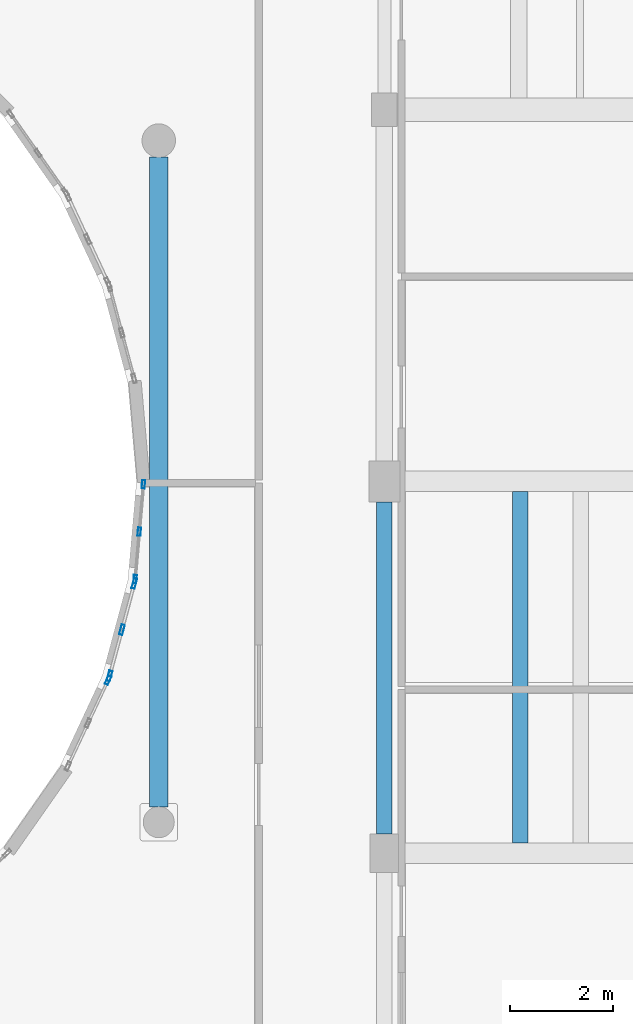
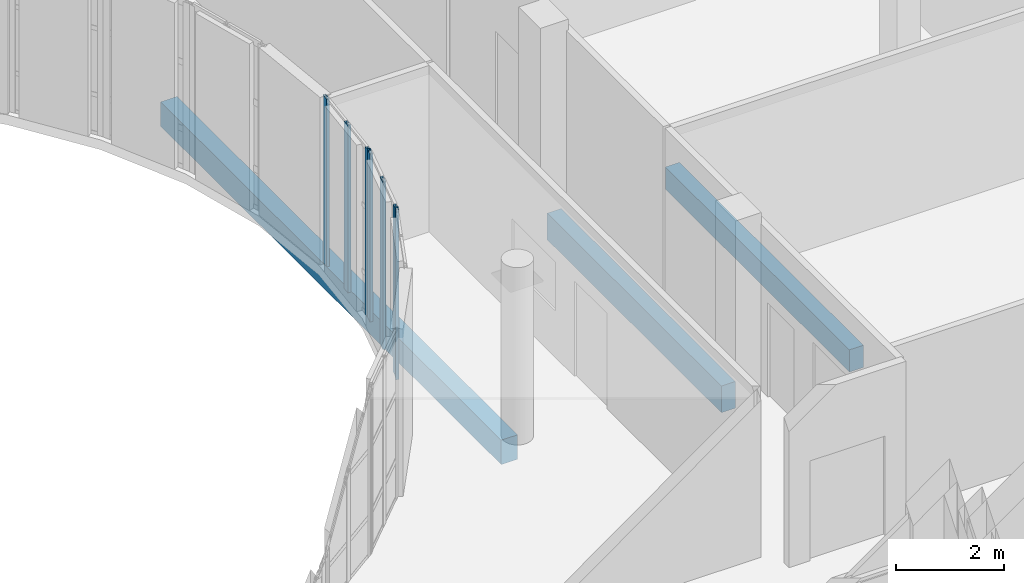
# One storey, part 24 of 89: 7 members, 3 beams, 3 elements without a shape of their own.
"""IFC4 building model written with IfcOpenShell, lengths in metres."""

from ifc_helpers import new_model, si_unit, direction, frame, origin, origin_2d, place, context, subcontext, project, spatial, rectangle, hollow_rectangle, extrude, material, layer, layer_set, material_profile, profile_set, type_object, element, aggregate, save


model = new_model("IFC4")

# Units and contexts
model_context = context("Model", 3, precision=1e-05, world=origin(), true_north=direction((0.0, 1.0)))
body_context = subcontext(model_context, "Body", "Model", "MODEL_VIEW")
ifc_project = project(units=[si_unit("LENGTHUNIT", "METRE"), si_unit("AREAUNIT", "SQUARE_METRE"), si_unit("VOLUMEUNIT", "CUBIC_METRE"), si_unit("PLANEANGLEUNIT", "RADIAN"), si_unit("MASSUNIT", "GRAM", prefix="KILO")], contexts=[model_context])

# Site, building, storey
site_placement = place(None, origin())
site = spatial("IfcSite", under=ifc_project, at=site_placement, CompositionType="ELEMENT")
building_placement = place(site_placement, origin())
building = spatial("IfcBuilding", under=site, at=building_placement, Name="Kelanivale Promenade Academy", CompositionType="ELEMENT")
storey_placement = place(building_placement, frame((0.0, 0.0, 12.199951171875)))
storey = spatial("IfcBuildingStorey", under=building, at=storey_placement, Name="L03", CompositionType="ELEMENT", Elevation=12.199951171875)

# Curtain wall, members
ifc_material_1 = material(Name="Bronze anodised aluminium and solar-control low-E glass", Category="aluminium")
ifc_layer_1 = layer(ifc_material_1, 0.169921875)
ifc_layer_set_1 = layer_set([ifc_layer_1], Name="Bronze anodised aluminium and solar-control low-E glass")
curtain_wall_type_1 = type_object("IfcCurtainWallType", Name="CW-13 Curtain Wall 1350mm Module", PredefinedType="USERDEFINED", material=ifc_layer_set_1)
curtain_wall_1_placement = place(storey_placement, origin())
curtain_wall_1 = element("IfcCurtainWall", 1, at=curtain_wall_1_placement, inside=storey, type_object=curtain_wall_type_1, Name="L03 courtyard curtain wall CW-13", ObjectType="COURTYARD SCREEN GLAZING", PredefinedType="USERDEFINED")
ifc_material_2 = material(Name="Bronze anodised aluminium EN AW-6063 T6", Category="aluminium")
ifc_material_profile_1 = material_profile(ifc_material_2, hollow_rectangle(XDim=0.06005859375, YDim=0.159912109375, WallThickness=0.00390625, at=origin_2d()), Name="ALU 60x160x4.0")
ifc_profile_set_1 = profile_set([ifc_material_profile_1], Name="Bronze anodised aluminium EN AW-6063 T6")
member_type_1 = type_object("IfcMemberType", Name="CWM-01 ALU 60x160x4.0", PredefinedType="MULLION", material=ifc_profile_set_1)
member_1_placement = place(storey_placement, frame((74.37451171875, 54.907958984375, 0.0), z_axis=(0.0, 0.0, 1.0), x_axis=(-0.996185153601, 0.087264768066, 0.0)))
member_1 = element("IfcMember", 2, at=member_1_placement, type_object=member_type_1, Name="CW-13 mullion 1", PredefinedType="MULLION", context=body_context, shape_type="SweptSolid", body=[
    extrude(hollow_rectangle(XDim=0.06005859375, YDim=0.159912109375, WallThickness=0.00390625, at=origin_2d()), origin(), (0.0, 0.0, 1.0), 3.780029296875),
])
member_2_placement = place(storey_placement, frame((74.455078125, 55.825439453125, 0.0), z_axis=(0.0, 0.0, 1.0), x_axis=(-0.996185153601, 0.087264768066, 0.0)))
member_2 = element("IfcMember", 3, at=member_2_placement, type_object=member_type_1, Name="CW-13 mullion 2", PredefinedType="MULLION", context=body_context, shape_type="SweptSolid", body=[
    extrude(hollow_rectangle(XDim=0.06005859375, YDim=0.159912109375, WallThickness=0.00390625, at=origin_2d()), origin(), (0.0, 0.0, 1.0), 3.780029296875),
])
member_3_placement = place(storey_placement, frame((74.535400390625, 56.7431640625, 0.0), z_axis=(0.0, 0.0, 1.0), x_axis=(-0.996185153601, 0.087264768066, 0.0)))
member_3 = element("IfcMember", 4, at=member_3_placement, type_object=member_type_1, Name="CW-13 mullion 3", PredefinedType="MULLION", context=body_context, shape_type="SweptSolid", body=[
    extrude(hollow_rectangle(XDim=0.06005859375, YDim=0.159912109375, WallThickness=0.00390625, at=origin_2d()), origin(), (0.0, 0.0, 1.0), 3.780029296875),
])
aggregate(curtain_wall_1, [member_1, member_2, member_3])

# Curtain wall, member
ifc_layer_2 = layer(ifc_material_1, 0.179931640625)
ifc_layer_set_2 = layer_set([ifc_layer_2], Name="Bronze anodised aluminium and solar-control low-E glass")
curtain_wall_type_2 = type_object("IfcCurtainWallType", Name="CW-11 Curtain Wall 1950mm Module", PredefinedType="USERDEFINED", material=ifc_layer_set_2)
curtain_wall_2_placement = place(storey_placement, origin())
curtain_wall_2 = element("IfcCurtainWall", 5, at=curtain_wall_2_placement, inside=storey, type_object=curtain_wall_type_2, Name="L03 courtyard curtain wall CW-11", ObjectType="UNITISED GLAZING", PredefinedType="USERDEFINED")
ifc_material_profile_2 = material_profile(ifc_material_2, hollow_rectangle(XDim=0.06494140625, YDim=0.175048828125, WallThickness=0.00390625, at=origin_2d()), Name="ALU 65x175x4.0")
ifc_profile_set_2 = profile_set([ifc_material_profile_2], Name="Bronze anodised aluminium EN AW-6063 T6")
member_type_2 = type_object("IfcMemberType", Name="CWM-03 ALU 65x175x4.0", PredefinedType="MULLION", material=ifc_profile_set_2)
member_4_placement = place(storey_placement, frame((73.850341796875, 52.949462890625, 0.0), z_axis=(0.0, 0.0, 1.0), x_axis=(-0.906089128146, 0.423086860887, 0.0)))
member_4 = element("IfcMember", 6, at=member_4_placement, type_object=member_type_2, Name="CW-11 mullion 3", PredefinedType="MULLION", context=body_context, shape_type="SweptSolid", body=[
    extrude(hollow_rectangle(XDim=0.06494140625, YDim=0.175048828125, WallThickness=0.00390625, at=origin_2d()), origin(), (0.0, 0.0, 1.0), 3.780029296875),
])
aggregate(curtain_wall_2, [member_4])

# Curtain wall, members
ifc_layer_3 = layer(ifc_material_1, 0.159912109375)
ifc_layer_set_3 = layer_set([ifc_layer_3], Name="Bronze anodised aluminium and solar-control low-E glass")
curtain_wall_type_3 = type_object("IfcCurtainWallType", Name="CW-12 Curtain Wall 1200mm Module", PredefinedType="USERDEFINED", material=ifc_layer_set_3)
curtain_wall_3_placement = place(storey_placement, origin())
curtain_wall_3 = element("IfcCurtainWall", 7, at=curtain_wall_3_placement, inside=storey, type_object=curtain_wall_type_3, Name="L03 courtyard curtain wall CW-12", ObjectType="UNITISED GLAZING", PredefinedType="USERDEFINED")
ifc_material_profile_3 = material_profile(ifc_material_2, hollow_rectangle(XDim=0.06494140625, YDim=0.199951171875, WallThickness=0.00439453125, at=origin_2d()), Name="ALU 65x200x4.5")
ifc_profile_set_3 = profile_set([ifc_material_profile_3], Name="Bronze anodised aluminium EN AW-6063 T6")
member_type_3 = type_object("IfcMemberType", Name="CWM-04 ALU 65x200x4.5", PredefinedType="MULLION", material=ifc_profile_set_3)
member_5_placement = place(storey_placement, frame((73.88037109375, 53.033447265625, 0.0), z_axis=(0.0, 0.0, 1.0), x_axis=(-0.96595736195, 0.258701323721, 0.0)))
member_5 = element("IfcMember", 8, at=member_5_placement, type_object=member_type_3, Name="CW-12 mullion 1", PredefinedType="MULLION", context=body_context, shape_type="SweptSolid", body=[
    extrude(hollow_rectangle(XDim=0.06494140625, YDim=0.199951171875, WallThickness=0.00439453125, at=origin_2d()), origin(), (0.0, 0.0, 1.0), 3.780029296875),
])
member_6_placement = place(storey_placement, frame((74.1201171875, 53.927978515625, 0.0), z_axis=(0.0, 0.0, 1.0), x_axis=(-0.96595736195, 0.258701323721, 0.0)))
member_6 = element("IfcMember", 9, at=member_6_placement, type_object=member_type_3, Name="CW-12 mullion 2", PredefinedType="MULLION", context=body_context, shape_type="SweptSolid", body=[
    extrude(hollow_rectangle(XDim=0.06494140625, YDim=0.199951171875, WallThickness=0.00439453125, at=origin_2d()), origin(), (0.0, 0.0, 1.0), 3.780029296875),
])
member_7_placement = place(storey_placement, frame((74.359619140625, 54.822509765625, 0.0), z_axis=(0.0, 0.0, 1.0), x_axis=(-0.96595736195, 0.258701323721, 0.0)))
member_7 = element("IfcMember", 10, at=member_7_placement, type_object=member_type_3, Name="CW-12 mullion 3", PredefinedType="MULLION", context=body_context, shape_type="SweptSolid", body=[
    extrude(hollow_rectangle(XDim=0.06494140625, YDim=0.199951171875, WallThickness=0.00439453125, at=origin_2d()), origin(), (0.0, 0.0, 1.0), 3.780029296875),
])
aggregate(curtain_wall_3, [member_5, member_6, member_7])

# Beams
ifc_material_3 = material(Name="Concrete C35/45", Category="concrete")
ifc_material_profile_4 = material_profile(ifc_material_3, rectangle(XDim=0.300048828125, YDim=0.5, at=origin_2d()), Name="RC-BM 300x500")
ifc_profile_set_4 = profile_set([ifc_material_profile_4], Name="Concrete C35/45")
beam_type_1 = type_object("IfcBeamType", Name="JS-01 RC-BM 300x500", PredefinedType="JOIST", material=ifc_profile_set_4)
beam_1_placement = place(storey_placement, frame((81.83203125, 49.800048828125, -0.469970703125), z_axis=(0.0, 1.0, 0.0), x_axis=(-1.0, 0.0, 0.0)))
element("IfcBeam", 11, at=beam_1_placement, inside=storey, type_object=beam_type_1, Name="L03 secondary sub-beam JS-01", PredefinedType="JOIST", context=body_context, shape_type="SweptSolid", body=[
    extrude(rectangle(XDim=0.300048828125, YDim=0.5, at=origin_2d()), origin(), (0.0, 0.0, 1.0), 6.800048828125),
])
ifc_material_profile_5 = material_profile(ifc_material_3, rectangle(XDim=0.300048828125, YDim=0.60009765625, at=origin_2d()), Name="RC-BM 300x600")
ifc_profile_set_5 = profile_set([ifc_material_profile_5], Name="Concrete C35/45")
beam_type_2 = type_object("IfcBeamType", Name="JS-03 RC-BM 300x600", PredefinedType="JOIST", material=ifc_profile_set_5)
beam_2_placement = place(storey_placement, frame((79.199951171875, 49.969970703125, -0.52001953125), z_axis=(0.0, 1.0, 0.0), x_axis=(-1.0, 0.0, 0.0)))
element("IfcBeam", 12, at=beam_2_placement, inside=storey, type_object=beam_type_2, Name="L03 beam JS-03", PredefinedType="JOIST", context=body_context, shape_type="SweptSolid", body=[
    extrude(rectangle(XDim=0.300048828125, YDim=0.60009765625, at=origin_2d()), origin(), (0.0, 0.0, 1.0), 6.43505859375),
])
ifc_material_profile_6 = material_profile(ifc_material_3, rectangle(XDim=0.35009765625, YDim=0.550048828125, at=origin_2d()), Name="RC-BM 350x550")
ifc_profile_set_6 = profile_set([ifc_material_profile_6], Name="Concrete C35/45")
beam_type_3 = type_object("IfcBeamType", Name="JS-06 RC-BM 350x550", PredefinedType="JOIST", material=ifc_profile_set_6)
beam_3_placement = place(storey_placement, frame((74.83203125, 50.4951171875, -0.494873046875), z_axis=(0.0, 1.0, 0.0), x_axis=(-1.0, 0.0, 0.0)))
element("IfcBeam", 13, at=beam_3_placement, inside=storey, type_object=beam_type_3, Name="L03 beam JS-06", PredefinedType="JOIST", context=body_context, shape_type="SweptSolid", body=[
    extrude(rectangle(XDim=0.35009765625, YDim=0.550048828125, at=origin_2d()), origin(), (0.0, 0.0, 1.0), 12.5849609375),
])

save(model, "model.ifc")
